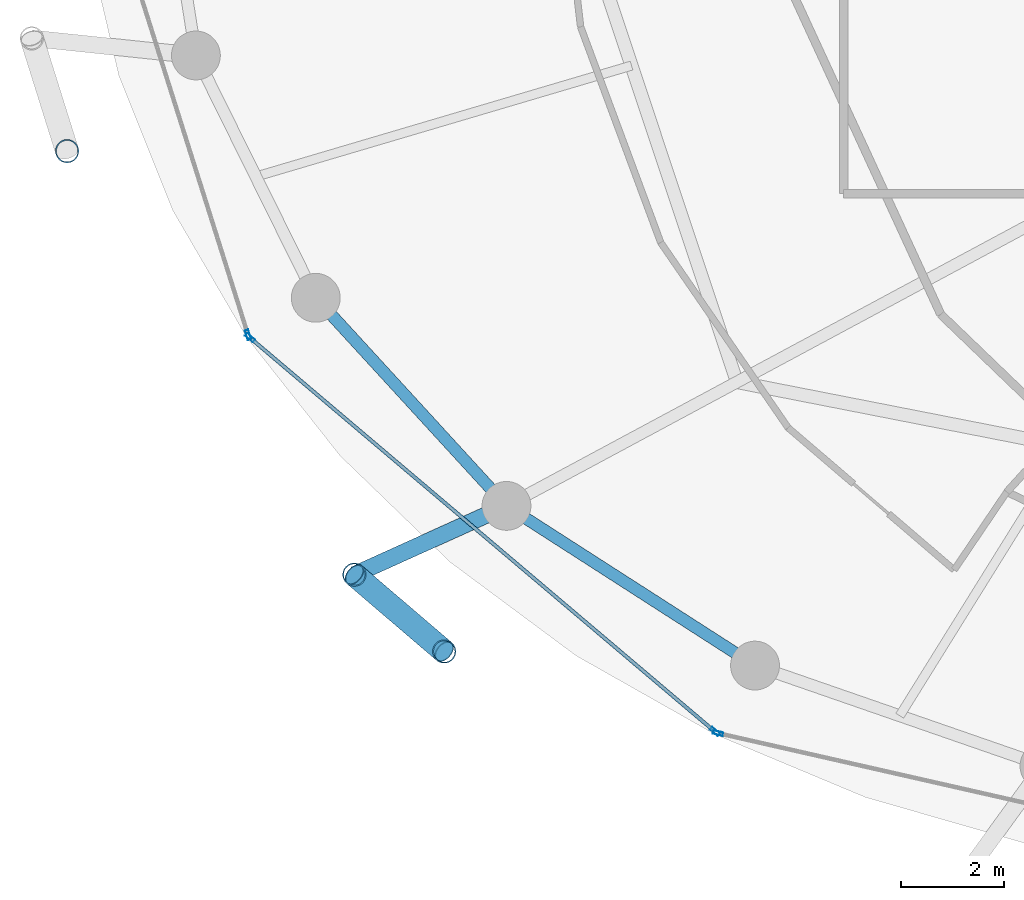
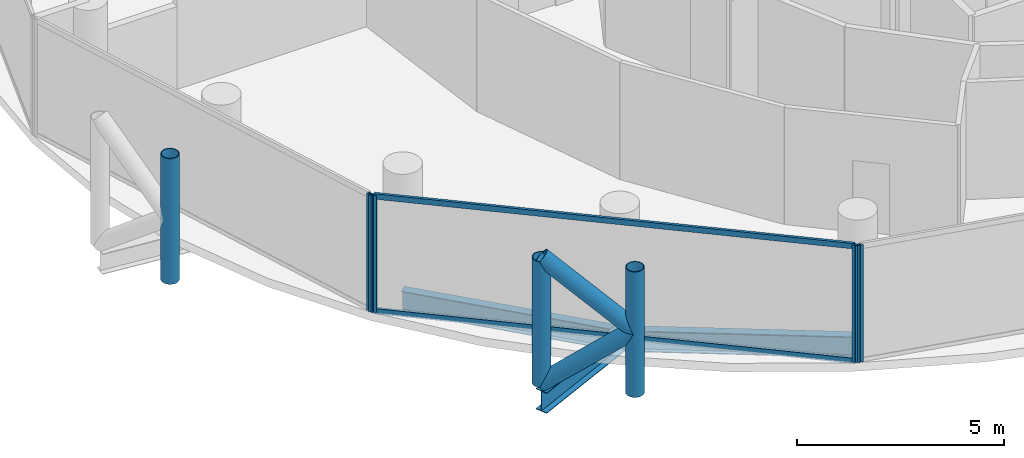
# One storey, part 2 of 26: 11 members, 3 beams, 3 elements without a shape of their own.
"""IFC4 building model written with IfcOpenShell, lengths in metres."""

from ifc_helpers import new_model, si_unit, direction, frame, origin, origin_2d, place, context, subcontext, project, spatial, hollow_rectangle, hollow_circle, i_section, extrude, material, layer, layer_set, material_profile, profile_set, type_object, element, aggregate, save


model = new_model("IFC4")

# Units and contexts
model_context = context("Model", 3, precision=1e-05, world=origin(), true_north=direction((0.0, 1.0)))
body_context = subcontext(model_context, "Body", "Model", "MODEL_VIEW")
ifc_project = project(units=[si_unit("LENGTHUNIT", "METRE"), si_unit("AREAUNIT", "SQUARE_METRE"), si_unit("VOLUMEUNIT", "CUBIC_METRE"), si_unit("PLANEANGLEUNIT", "RADIAN"), si_unit("MASSUNIT", "GRAM", prefix="KILO")], contexts=[model_context])

# Site, building, storey
site_placement = place(None, origin())
site = spatial("IfcSite", under=ifc_project, at=site_placement, CompositionType="ELEMENT")
building_placement = place(site_placement, origin())
building = spatial("IfcBuilding", under=site, at=building_placement, Name="Nuhasar Tower", CompositionType="ELEMENT")
storey_placement = place(building_placement, frame((0.0, 0.0, 121.949951171875)))
storey = spatial("IfcBuildingStorey", under=building, at=storey_placement, Name="L28", CompositionType="ELEMENT", Elevation=121.949951171875)

# Beams
ifc_material_1 = material(Name="Steel S355", Category="steel")
ifc_material_profile_1 = material_profile(ifc_material_1, i_section(OverallWidth=0.22998046875, OverallDepth=0.616943359375, WebThickness=0.01318359375, FlangeThickness=0.022216796875, at=origin_2d()), Name="W24X94")
ifc_profile_set_1 = profile_set([ifc_material_profile_1], Name="Steel S355")
beam_type_1 = type_object("IfcBeamType", Name="BM-RING-W24X94", PredefinedType="SPANDREL", material=ifc_profile_set_1)
beam_1_placement = place(storey_placement, frame((18.778076171875, 17.02490234375, -0.557861328125), z_axis=(0.675676316545, -0.737198423262, 0.0), x_axis=(0.737198423262, 0.675676316545, 0.0)))
element("IfcBeam", 1, at=beam_1_placement, inside=storey, type_object=beam_type_1, Name="L28 Perimeter Ring Spandrel 15", PredefinedType="SPANDREL", context=body_context, shape_type="SweptSolid", body=[
    extrude(i_section(OverallWidth=0.22998046875, OverallDepth=0.616943359375, WebThickness=0.01318359375, FlangeThickness=0.022216796875, at=origin_2d()), origin(), (0.0, 0.0, 1.0), 5.4921875),
])
beam_2_placement = place(storey_placement, frame((22.489013671875, 12.97607421875, -0.557861328125), z_axis=(0.841308170616, -0.540555789955, 0.0), x_axis=(0.540555789955, 0.841308170616, 0.0)))
element("IfcBeam", 2, at=beam_2_placement, inside=storey, type_object=beam_type_1, Name="L28 Perimeter Ring Spandrel 16", PredefinedType="SPANDREL", context=body_context, shape_type="SweptSolid", body=[
    extrude(i_section(OverallWidth=0.22998046875, OverallDepth=0.616943359375, WebThickness=0.01318359375, FlangeThickness=0.022216796875, at=origin_2d()), origin(), (0.0, 0.0, 1.0), 5.748046875),
])
ifc_material_profile_2 = material_profile(ifc_material_1, i_section(OverallWidth=0.323974609375, OverallDepth=0.611083984375, WebThickness=0.0126953125, FlangeThickness=0.01904296875, at=origin_2d()), Name="W24X104")
ifc_profile_set_2 = profile_set([ifc_material_profile_2], Name="Steel S355")
beam_type_2 = type_object("IfcBeamType", Name="BM-TIE-W24X104", PredefinedType="BEAM", material=ifc_profile_set_2)
beam_3_placement = place(storey_placement, frame((22.489013671875, 12.97607421875, -0.554931640625), z_axis=(-0.911211381786, -0.411939094653, 0.0), x_axis=(0.411939094653, -0.911211381786, 0.0)))
element("IfcBeam", 3, at=beam_3_placement, inside=storey, type_object=beam_type_2, Name="L28 Exoskeleton Node Tie Beam 08", PredefinedType="BEAM", context=body_context, shape_type="SweptSolid", body=[
    extrude(i_section(OverallWidth=0.323974609375, OverallDepth=0.611083984375, WebThickness=0.0126953125, FlangeThickness=0.01904296875, at=origin_2d()), origin(), (0.0, 0.0, 1.0), 3.248291015625),
])

# Curtain wall, member
ifc_material_2 = material(Name="Aluminium 6063-T6", Category="aluminium")
ifc_layer = layer(ifc_material_2, 0.199951171875)
ifc_layer_set = layer_set([ifc_layer], Name="Aluminium 6063-T6")
curtain_wall_type = type_object("IfcCurtainWallType", Name="CW-Z2-HTL", PredefinedType="NOTDEFINED", material=ifc_layer_set)
curtain_wall_1_placement = place(storey_placement, origin())
curtain_wall_1 = element("IfcCurtainWall", 4, at=curtain_wall_1_placement, inside=storey, type_object=curtain_wall_type, Name="L28 Unitised Curtain Wall 07", PredefinedType="NOTDEFINED")
ifc_material_profile_3 = material_profile(ifc_material_2, hollow_rectangle(XDim=0.070068359375, YDim=0.199951171875, WallThickness=0.0048828125, at=origin_2d()), Name="CWM-3")
ifc_profile_set_3 = profile_set([ifc_material_profile_3], Name="Aluminium 6063-T6")
member_type_1 = type_object("IfcMemberType", Name="CW-MUL-S3", PredefinedType="MULLION", material=ifc_profile_set_3)
member_1_placement = place(storey_placement, frame((17.46044921875, 16.303466796875, 0.0), z_axis=(0.0, 0.0, 1.0), x_axis=(0.953433389233, 0.301603667577, 0.0)))
member_1 = element("IfcMember", 5, at=member_1_placement, type_object=member_type_1, Name="CW-Z2 mullion 2", PredefinedType="MULLION", context=body_context, shape_type="SweptSolid", body=[
    extrude(hollow_rectangle(XDim=0.070068359375, YDim=0.199951171875, WallThickness=0.0048828125, at=origin_2d()), origin(), (0.0, 0.0, 1.0), 3.449951171875),
])
aggregate(curtain_wall_1, [member_1])

# Curtain wall, members
curtain_wall_2_placement = place(storey_placement, origin())
curtain_wall_2 = element("IfcCurtainWall", 6, at=curtain_wall_2_placement, inside=storey, type_object=curtain_wall_type, Name="L28 Unitised Curtain Wall 08", PredefinedType="NOTDEFINED")
member_2_placement = place(storey_placement, frame((17.497802734375, 16.247314453125, 0.0), z_axis=(0.0, 0.0, 1.0), x_axis=(0.646374438324, 0.763020370292, 0.0)))
member_2 = element("IfcMember", 7, at=member_2_placement, type_object=member_type_1, Name="CW-Z2 mullion 1", PredefinedType="MULLION", context=body_context, shape_type="SweptSolid", body=[
    extrude(hollow_rectangle(XDim=0.070068359375, YDim=0.199951171875, WallThickness=0.0048828125, at=origin_2d()), origin(), (0.0, 0.0, 1.0), 3.449951171875),
])
member_3_placement = place(storey_placement, frame((26.543212890625, 8.584716796875, 0.0), z_axis=(0.0, 0.0, 1.0), x_axis=(0.646374438324, 0.763020370292, 0.0)))
member_3 = element("IfcMember", 8, at=member_3_placement, type_object=member_type_1, Name="CW-Z2 mullion 2", PredefinedType="MULLION", context=body_context, shape_type="SweptSolid", body=[
    extrude(hollow_rectangle(XDim=0.070068359375, YDim=0.199951171875, WallThickness=0.0048828125, at=origin_2d()), origin(), (0.0, 0.0, 1.0), 3.449951171875),
])

# Curtain wall, member
curtain_wall_3_placement = place(storey_placement, origin())
curtain_wall_3 = element("IfcCurtainWall", 9, at=curtain_wall_3_placement, inside=storey, type_object=curtain_wall_type, Name="L28 Unitised Curtain Wall 09", PredefinedType="NOTDEFINED")
member_4_placement = place(storey_placement, frame((26.604248046875, 8.55419921875, 0.0), z_axis=(0.0, 0.0, 1.0), x_axis=(0.22139729566, 0.975183694221, 0.0)))
member_4 = element("IfcMember", 10, at=member_4_placement, type_object=member_type_1, Name="CW-Z2 mullion 1", PredefinedType="MULLION", context=body_context, shape_type="SweptSolid", body=[
    extrude(hollow_rectangle(XDim=0.070068359375, YDim=0.199951171875, WallThickness=0.0048828125, at=origin_2d()), origin(), (0.0, 0.0, 1.0), 3.449951171875),
])
aggregate(curtain_wall_3, [member_4])

# Member
ifc_material_profile_4 = material_profile(ifc_material_2, hollow_rectangle(XDim=0.070068359375, YDim=0.159912109375, WallThickness=0.00439453125, at=origin_2d()), Name="CWT-3")
ifc_profile_set_4 = profile_set([ifc_material_profile_4], Name="Aluminium 6063-T6")
member_type_2 = type_object("IfcMemberType", Name="CW-TRN-S3", PredefinedType="USERDEFINED", material=ifc_profile_set_4)
member_5_placement = place(storey_placement, frame((17.5244140625, 16.224853515625, 0.03515625), z_axis=(0.763013698099, -0.646382314511, 0.0), x_axis=(0.646382314511, 0.763013698099, 0.0)))
member_5 = element("IfcMember", 11, at=member_5_placement, type_object=member_type_2, Name="CW-Z2 transom 1.1", ObjectType="TRANSOM", PredefinedType="USERDEFINED", context=body_context, shape_type="SweptSolid", body=[
    extrude(hollow_rectangle(XDim=0.070068359375, YDim=0.159912109375, WallThickness=0.00439453125, at=origin_2d()), origin(), (0.0, 0.0, 1.0), 11.78515625),
])

member_6_placement = place(storey_placement, frame((17.5244140625, 16.224853515625, 3.4150390625), z_axis=(0.763013698099, -0.646382314511, 0.0), x_axis=(0.646382314511, 0.763013698099, 0.0)))
member_6 = element("IfcMember", 12, at=member_6_placement, type_object=member_type_2, Name="CW-Z2 transom 1.2", ObjectType="TRANSOM", PredefinedType="USERDEFINED", context=body_context, shape_type="SweptSolid", body=[
    extrude(hollow_rectangle(XDim=0.070068359375, YDim=0.159912109375, WallThickness=0.00439453125, at=origin_2d()), origin(), (0.0, 0.0, 1.0), 11.78515625),
])

aggregate(curtain_wall_2, [member_2, member_3, member_5, member_6])

# Members
ifc_material_3 = material(Name="Steel S460", Category="steel")
ifc_material_profile_5 = material_profile(ifc_material_3, hollow_circle(Radius=0.228515625, WallThickness=0.022216796875, at=origin_2d()), Name="HSS457X22.2")
ifc_profile_set_5 = profile_set([ifc_material_profile_5], Name="Steel S460")
member_type_3 = type_object("IfcMemberType", Name="EXO-BRONZE-457", PredefinedType="BRACE", material=ifc_profile_set_5)
for number, where, z_axis, x_axis, name in (
    (13, (13.93994140625, 19.87890625, 0.0), (0.0, 0.0, 1.0), (1.0, 0.0, 0.0), "L28 Exoskeleton Chord Column EC-07B"),
    (14, (19.529052734375, 11.637939453125, 0.0), (0.0, 0.0, 1.0), (1.0, 0.0, 0.0), "L28 Exoskeleton Chord Column EC-08A"),
    (15, (21.277099609375, 10.14306640625, 0.0), (0.0, 0.0, 1.0), (1.0, 0.0, 0.0), "L28 Exoskeleton Chord Column EC-08B"),
):
    element("IfcMember", number, at=place(storey_placement, frame(where, z_axis=z_axis, x_axis=x_axis)), inside=storey, type_object=member_type_3, Name=name, PredefinedType="BRACE", context=body_context, shape_type="SweptSolid", body=[
        extrude(hollow_circle(Radius=0.228515625, WallThickness=0.022216796875, at=origin_2d()), origin(), (0.0, 0.0, 1.0), 3.699951171875),
    ])
member_7_placement = place(storey_placement, frame((19.529052734375, 11.637939453125, 0.0), z_axis=(0.592195175458, -0.506426125604, 0.626767463634), x_axis=(0.649925557156, 0.7599978751, 0.0)))
element("IfcMember", 16, at=member_7_placement, inside=storey, type_object=member_type_3, Name="L28 Bronze Diagrid Brace W1-08", PredefinedType="BRACE", context=body_context, shape_type="SweptSolid", body=[
    extrude(hollow_circle(Radius=0.228515625, WallThickness=0.022216796875, at=origin_2d()), origin(), (0.0, 0.0, 1.0), 2.951904296875),
])
member_8_placement = place(storey_placement, frame((21.277099609375, 10.14306640625, 1.85009765625), z_axis=(-0.592225874743, 0.506452378638, 0.626717242029), x_axis=(-0.649925557156, -0.7599978751, 0.0)))
element("IfcMember", 17, at=member_8_placement, inside=storey, type_object=member_type_3, Name="L28 Bronze Diagrid Brace W2-08", PredefinedType="BRACE", context=body_context, shape_type="SweptSolid", body=[
    extrude(hollow_circle(Radius=0.228515625, WallThickness=0.022216796875, at=origin_2d()), origin(), (0.0, 0.0, 1.0), 2.95166015625),
])

save(model, "model.ifc")
